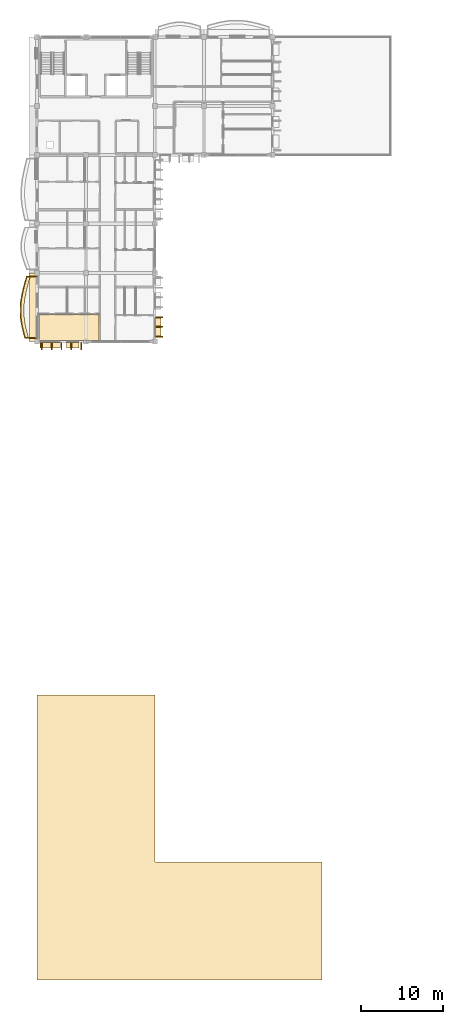
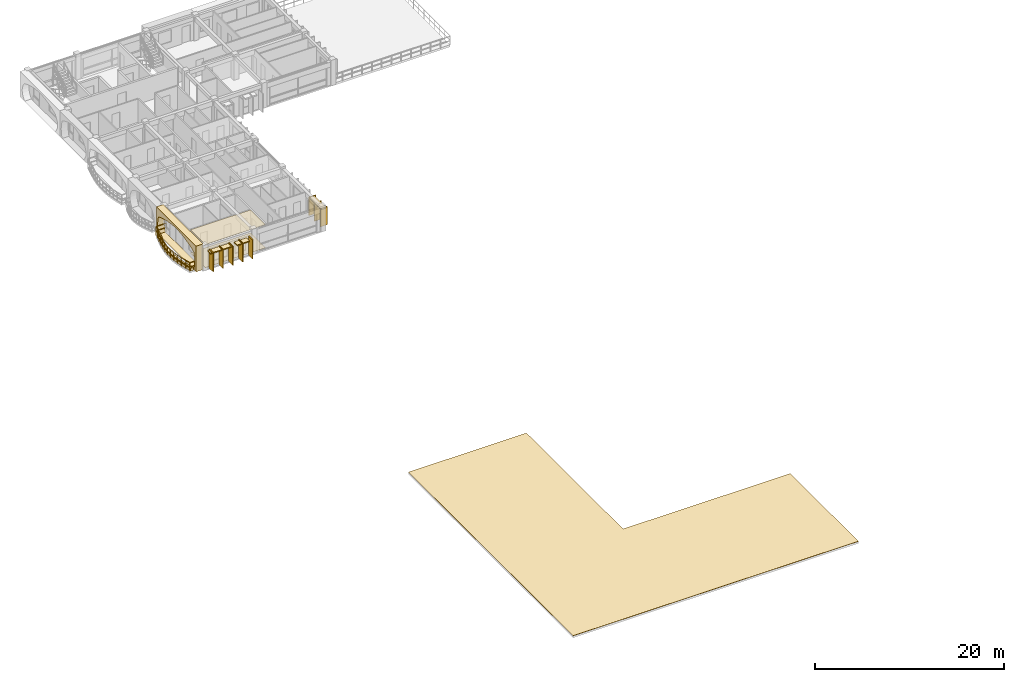
# One storey, part 21 of 31: 16 coverings, 1 railing.
"""IFC4 building model written with IfcOpenShell, lengths in metres."""

from ifc_helpers import new_model, si_unit, direction, frame, origin, origin_2d, place, context, subcontext, project, spatial, polyline, rectangle, outline, extrude, material, layer, layer_set, type_object, element, save


model = new_model("IFC4")

# Units and contexts
model_context = context("Model", 3, precision=1e-05, world=origin(), true_north=direction((0.0, 1.0)))
body_context = subcontext(model_context, "Body", "Model", "MODEL_VIEW")
ifc_project = project(units=[si_unit("LENGTHUNIT", "METRE"), si_unit("AREAUNIT", "SQUARE_METRE"), si_unit("VOLUMEUNIT", "CUBIC_METRE"), si_unit("PLANEANGLEUNIT", "RADIAN"), si_unit("MASSUNIT", "GRAM", prefix="KILO"), si_unit("THERMODYNAMICTEMPERATUREUNIT", "KELVIN")], contexts=[model_context])

# Site, building, storey
site_placement = place(None, origin())
site = spatial("IfcSite", under=ifc_project, at=site_placement, CompositionType="ELEMENT")
building_placement = place(site_placement, origin())
building = spatial("IfcBuilding", under=site, at=building_placement, Name="Thalorik Housing Commons", CompositionType="ELEMENT")
storey_placement = place(building_placement, frame((0.0, 0.0, 37.800048828125)))
storey = spatial("IfcBuildingStorey", under=building, at=storey_placement, Name="L11", CompositionType="ELEMENT", Elevation=37.800048828125)

# Coverings
ifc_material_1 = material(Name="Precast concrete C40/50", Category="concrete")
ifc_layer_1 = layer(ifc_material_1, 0.85009765625, Name="Precast concrete C40/50", Category="concrete")
ifc_layer_set_1 = layer_set([ifc_layer_1], Name="Precast concrete C40/50")
covering_type_1 = type_object("IfcCoveringType", Name="ARC-CLD-CUSH-850", PredefinedType="CLADDING", material=ifc_layer_set_1)
covering_1_placement = place(storey_placement, frame((7.862548828125, 90.60009765625, 0.0), z_axis=(0.0, 0.0, 1.0), x_axis=(0.0, -1.0, 0.0)))
element("IfcCovering", 1, at=covering_1_placement, inside=storey, type_object=covering_type_1, Name="L11 White Precast Curved Cushion Bay Frame 1142", PredefinedType="CLADDING", context=body_context, shape_type="SweptSolid", body=[
    extrude(outline(polyline([(-4.199951171875, 0.0), (4.199951171875, 0.0), (4.199951171875, 3.300048828125), (-4.199951171875, 3.300048828125), (-4.199951171875, 0.0)]), holes=[polyline([(3.7099609375, 0.02490234375), (3.8134765625, 0.40087890625), (3.87548828125, 0.776611328125), (3.896240234375, 1.152587890625), (3.87548828125, 1.5283203125), (3.8134765625, 1.904296875), (3.7099609375, 2.280029296875), (3.088623046875, 2.51123046875), (2.467529296875, 2.693115234375), (1.84619140625, 2.840087890625), (1.22509765625, 2.94970703125), (0.603759765625, 3.01708984375), (-0.017578125, 3.0400390625), (-0.638916015625, 3.01708984375), (-1.260009765625, 2.94970703125), (-1.88134765625, 2.840087890625), (-2.50244140625, 2.693115234375), (-3.123779296875, 2.51123046875), (-3.7451171875, 2.280029296875), (-3.841064453125, 1.904296875), (-3.898681640625, 1.5283203125), (-3.91796875, 1.152587890625), (-3.898681640625, 0.776611328125), (-3.841064453125, 0.40087890625), (-3.7451171875, 0.02490234375), (3.7099609375, 0.02490234375)])]), frame((0.0, 0.425048828125, 0.0), z_axis=(0.0, -1.0, 0.0), x_axis=(1.0, 0.0, 0.0)), (0.0, 0.0, 1.0), 0.85009765625),
])
ifc_layer_2 = layer(ifc_material_1, 0.85009765625, Name="Precast concrete C40/50", Category="concrete")
ifc_layer_set_2 = layer_set([ifc_layer_2], Name="Precast concrete C40/50")
covering_type_2 = type_object("IfcCoveringType", Name="ARC-CLD-FIN-850", PredefinedType="CLADDING", material=ifc_layer_set_2)
for number, where, z_axis, x_axis, name in (
    (2, (9.0, 85.862548828125, 0.0400390625), (0.0, 0.0, 1.0), (1.0, 0.0, 0.0), "L11 Courtyard Precast Vertical Brise-Soleil Fin 1144"),
    (3, (10.199951171875, 85.862548828125, 0.0400390625), (0.0, 0.0, 1.0), (1.0, 0.0, 0.0), "L11 Courtyard Precast Vertical Brise-Soleil Fin 1145"),
    (4, (11.39990234375, 85.862548828125, 0.0400390625), (0.0, 0.0, 1.0), (1.0, 0.0, 0.0), "L11 Courtyard Precast Vertical Brise-Soleil Fin 1146"),
    (5, (12.60009765625, 85.862548828125, 0.0400390625), (0.0, 0.0, 1.0), (1.0, 0.0, 0.0), "L11 Courtyard Precast Vertical Brise-Soleil Fin 1147"),
    (6, (13.800048828125, 85.862548828125, 0.0400390625), (0.0, 0.0, 1.0), (1.0, 0.0, 0.0), "L11 Courtyard Precast Vertical Brise-Soleil Fin 1148"),
):
    element("IfcCovering", number, at=place(storey_placement, frame(where, z_axis=z_axis, x_axis=x_axis)), inside=storey, type_object=covering_type_2, Name=name, PredefinedType="CLADDING", context=body_context, shape_type="SweptSolid", body=[
        extrude(rectangle(XDim=0.110107421875, YDim=0.85009765625, at=origin_2d()), origin(), (0.0, 0.0, 1.0), 2.445068359375),
    ])
for number, where, z_axis, x_axis, name in (
    (7, (23.33740234375, 87.0, 0.0400390625), (0.0, 0.0, 1.0), (0.0, 1.0, 0.0), "L11 Courtyard Precast Vertical Brise-Soleil Fin 1151"),
    (8, (23.33740234375, 88.199951171875, 0.0400390625), (0.0, 0.0, 1.0), (0.0, 1.0, 0.0), "L11 Courtyard Precast Vertical Brise-Soleil Fin 1152"),
    (9, (23.33740234375, 89.39990234375, 0.0400390625), (0.0, 0.0, 1.0), (0.0, 1.0, 0.0), "L11 Courtyard Precast Vertical Brise-Soleil Fin 1153"),
):
    element("IfcCovering", number, at=place(storey_placement, frame(where, z_axis=z_axis, x_axis=x_axis)), inside=storey, type_object=covering_type_2, Name=name, PredefinedType="CLADDING", context=body_context, shape_type="SweptSolid", body=[
        extrude(rectangle(XDim=0.110107421875, YDim=0.85009765625, at=origin_2d()), origin(), (0.0, 0.0, 1.0), 2.344970703125),
    ])
ifc_layer_3 = layer(ifc_material_1, 0.64990234375, Name="Precast concrete C40/50", Category="concrete")
ifc_layer_set_3 = layer_set([ifc_layer_3], Name="Precast concrete C40/50")
covering_type_3 = type_object("IfcCoveringType", Name="ARC-CLD-HOOD-650", PredefinedType="CLADDING", material=ifc_layer_set_3)
covering_2_placement = place(storey_placement, frame((10.030029296875, 85.96240234375, 2.25), z_axis=(0.0, 0.0, 1.0), x_axis=(1.0, 0.0, 0.0)))
element("IfcCovering", 10, at=covering_2_placement, inside=storey, type_object=covering_type_3, Name="L11 Courtyard Precast Window Sun-Hood 1149", PredefinedType="CLADDING", context=body_context, shape_type="SweptSolid", body=[
    extrude(rectangle(XDim=2.52001953125, YDim=0.64990234375, at=origin_2d()), origin(), (0.0, 0.0, 1.0), 0.139892578125),
])
covering_3_placement = place(storey_placement, frame((12.77001953125, 85.96240234375, 2.18994140625), z_axis=(0.0, 0.0, 1.0), x_axis=(1.0, 0.0, 0.0)))
element("IfcCovering", 11, at=covering_3_placement, inside=storey, type_object=covering_type_3, Name="L11 Courtyard Precast Window Sun-Hood 1150", PredefinedType="CLADDING", context=body_context, shape_type="SweptSolid", body=[
    extrude(rectangle(XDim=1.5400390625, YDim=0.64990234375, at=origin_2d()), origin(), (0.0, 0.0, 1.0), 0.139892578125),
])
covering_4_placement = place(storey_placement, frame((23.237548828125, 88.11376953125, 2.27001953125), z_axis=(0.0, 0.0, 1.0), x_axis=(0.0, 1.0, 0.0)))
element("IfcCovering", 12, at=covering_4_placement, inside=storey, type_object=covering_type_3, Name="L11 Courtyard Precast Window Sun-Hood 1158", PredefinedType="CLADDING", context=body_context, shape_type="SweptSolid", body=[
    extrude(rectangle(XDim=2.419921875, YDim=0.64990234375, at=origin_2d()), origin(), (0.0, 0.0, 1.0), 0.139892578125),
])
ifc_material_2 = material(Name="Acoustic wood-wool nursery ceiling panel", Category="wood")
ifc_layer_4 = layer(ifc_material_2, 0.035888671875, Name="Acoustic wood-wool nursery ceiling panel", Category="wood")
ifc_layer_set_4 = layer_set([ifc_layer_4], Name="Acoustic wood-wool nursery ceiling panel")
covering_type_4 = type_object("IfcCoveringType", Name="ARC-COV-CEIL-06", PredefinedType="CEILING", material=ifc_layer_set_4)
covering_5_placement = place(storey_placement, frame((0.0, 0.0, 2.9638671875)))
element("IfcCovering", 13, at=covering_5_placement, inside=storey, type_object=covering_type_4, Name="L11 Living Dining Room Suspended Ceiling", PredefinedType="CEILING", context=body_context, shape_type="SweptSolid", body=[
    extrude(outline(polyline([(16.0, 89.699951171875), (8.639892578125, 89.699951171875), (8.639892578125, 86.5400390625), (16.0, 86.5400390625), (16.0, 89.699951171875)])), origin(), (0.0, 0.0, 1.0), 0.0361328125),
])
ifc_material_3 = material(Name="Epoxy-sealed concrete plant and bicycle hub finish", Category="concrete")
ifc_layer_5 = layer(ifc_material_3, 0.031982421875, Name="Epoxy-sealed concrete plant and bicycle hub finish", Category="concrete")
ifc_layer_set_5 = layer_set([ifc_layer_5], Name="Epoxy-sealed concrete plant and bicycle hub finish")
covering_type_5 = type_object("IfcCoveringType", Name="ARC-COV-FLR-06", PredefinedType="FLOORING", material=ifc_layer_set_5)
covering_6_placement = place(storey_placement, origin())
element("IfcCovering", 14, at=covering_6_placement, inside=storey, type_object=covering_type_5, Name="L11 Living Dining Room Flooring", PredefinedType="FLOORING", context=body_context, shape_type="SweptSolid", body=[
    extrude(outline(polyline([(16.0, 89.699951171875), (8.639892578125, 89.699951171875), (8.639892578125, 86.5400390625), (16.0, 86.5400390625), (16.0, 89.699951171875)])), origin(), (0.0, 0.0, 1.0), 0.031982421875),
])
ifc_material_4 = material(Name="Planted vegetated substrate and terracotta trough", Category="masonry")
ifc_layer_6 = layer(ifc_material_4, 0.340087890625, Name="Planted vegetated substrate and terracotta trough", Category="masonry")
ifc_layer_set_6 = layer_set([ifc_layer_6], Name="Planted vegetated substrate and terracotta trough")
covering_type_6 = type_object("IfcCoveringType", Name="ARC-COV-PLANTER", PredefinedType="USERDEFINED", material=ifc_layer_set_6)
covering_7_placement = place(storey_placement, origin())
element("IfcCovering", 15, at=covering_7_placement, inside=storey, type_object=covering_type_6, Name="L11 Balcony Slab-Edge Planted Trough 5394", ObjectType="PLANTER", PredefinedType="USERDEFINED", context=body_context, shape_type="SweptSolid", body=[
    extrude(outline(polyline([(7.20849609375, 94.3798828125), (7.031982421875, 93.75), (6.85986328125, 93.1201171875), (6.70361328125, 92.489990234375), (6.57421875, 91.860107421875), (6.480712890625, 91.22998046875), (6.429443359375, 90.60009765625), (6.424560546875, 89.969970703125), (6.46630859375, 89.340087890625), (6.55224609375, 88.7099609375), (6.67626953125, 88.080078125), (6.829833984375, 87.449951171875), (7.0029296875, 86.820068359375), (7.3828125, 86.820068359375), (7.2099609375, 87.449951171875), (7.05615234375, 88.080078125), (6.93212890625, 88.7099609375), (6.846435546875, 89.340087890625), (6.8046875, 89.969970703125), (6.8095703125, 90.60009765625), (6.860595703125, 91.22998046875), (6.9541015625, 91.860107421875), (7.08349609375, 92.489990234375), (7.23974609375, 93.1201171875), (7.412109375, 93.75), (7.58837890625, 94.3798828125), (7.20849609375, 94.3798828125)])), origin(), (0.0, 0.0, 1.0), 0.33984375),
])

# Railing
ifc_material_5 = material(Name="Steel S355", Category="steel")
railing_type = type_object("IfcRailingType", Name="ARC-RL-BAL-112", PredefinedType="BALUSTRADE", material=ifc_material_5)
railing_placement = place(storey_placement, frame((8.39990234375, 94.3798828125, 0.0)))
element("IfcRailing", 16, at=railing_placement, inside=storey, type_object=railing_type, Name="L11 Cushion Balcony Guardrail 78", PredefinedType="BALUSTRADE", context=body_context, shape_type="SweptSolid", body=[
    extrude(rectangle(XDim=0.050048828125, YDim=0.050048828125, at=origin_2d()), frame((0.0, 0.0, 1.09521484375), z_axis=(-1.0, 0.0, 0.0), x_axis=(0.0, -1.0, 0.0)), (0.0, 0.0, 1.0), 1.261474609375),
    extrude(rectangle(XDim=0.050048828125, YDim=0.050048828125, at=origin_2d()), frame((0.0, 0.0, 0.53515625), z_axis=(-1.0, 0.0, 0.0), x_axis=(0.0, -1.0, 0.0)), (0.0, 0.0, 1.0), 1.261474609375),
    extrude(rectangle(XDim=0.050048828125, YDim=0.050048828125, at=origin_2d()), frame((-1.261474609375, 0.0, 1.09521484375), z_axis=(-0.269491474332, -0.963002775314, 0.0), x_axis=(0.963002775314, -0.269491474332, 0.0)), (0.0, 0.0, 1.0), 0.654052734375),
    extrude(rectangle(XDim=0.050048828125, YDim=0.050048828125, at=origin_2d()), frame((-1.261474609375, 0.0, 0.53515625), z_axis=(-0.269491474332, -0.963002775314, 0.0), x_axis=(0.963002775314, -0.269491474332, 0.0)), (0.0, 0.0, 1.0), 0.654052734375),
    extrude(rectangle(XDim=0.050048828125, YDim=0.050048828125, at=origin_2d()), frame((-1.437744140625, -0.6298828125, 1.09521484375), z_axis=(-0.26393978543, -0.964539159219, 0.0), x_axis=(0.964539159219, -0.26393978543, 0.0)), (0.0, 0.0, 1.0), 0.653076171875),
    extrude(rectangle(XDim=0.050048828125, YDim=0.050048828125, at=origin_2d()), frame((-1.437744140625, -0.6298828125, 0.53515625), z_axis=(-0.26393978543, -0.964539159219, 0.0), x_axis=(0.964539159219, -0.26393978543, 0.0)), (0.0, 0.0, 1.0), 0.653076171875),
    extrude(rectangle(XDim=0.050048828125, YDim=0.050048828125, at=origin_2d()), frame((-1.610107421875, -1.259765625, 1.09521484375), z_axis=(-0.240677012047, -0.970605262644, 0.0), x_axis=(0.970605262644, -0.240677012047, 0.0)), (0.0, 0.0, 1.0), 0.649169921875),
    extrude(rectangle(XDim=0.050048828125, YDim=0.050048828125, at=origin_2d()), frame((-1.610107421875, -1.259765625, 0.53515625), z_axis=(-0.240677012047, -0.970605262644, 0.0), x_axis=(0.970605262644, -0.240677012047, 0.0)), (0.0, 0.0, 1.0), 0.649169921875),
    extrude(rectangle(XDim=0.050048828125, YDim=0.050048828125, at=origin_2d()), frame((-1.766357421875, -1.889892578125, 1.09521484375), z_axis=(-0.201224395652, -0.979545171288, 0.0), x_axis=(0.979545171288, -0.201224395652, 0.0)), (0.0, 0.0, 1.0), 0.64306640625),
    extrude(rectangle(XDim=0.050048828125, YDim=0.050048828125, at=origin_2d()), frame((-1.766357421875, -1.889892578125, 0.53515625), z_axis=(-0.201224395652, -0.979545171288, 0.0), x_axis=(0.979545171288, -0.201224395652, 0.0)), (0.0, 0.0, 1.0), 0.64306640625),
    extrude(rectangle(XDim=0.050048828125, YDim=0.050048828125, at=origin_2d()), frame((-1.895751953125, -2.519775390625, 1.09521484375), z_axis=(-0.146784780117, -0.989168452957, 0.0), x_axis=(0.989168452957, -0.146784780117, 0.0)), (0.0, 0.0, 1.0), 0.636962890625),
    extrude(rectangle(XDim=0.050048828125, YDim=0.050048828125, at=origin_2d()), frame((-1.895751953125, -2.519775390625, 0.53515625), z_axis=(-0.146784780117, -0.989168452957, 0.0), x_axis=(0.989168452957, -0.146784780117, 0.0)), (0.0, 0.0, 1.0), 0.636962890625),
    extrude(rectangle(XDim=0.050048828125, YDim=0.050048828125, at=origin_2d()), frame((-1.9892578125, -3.14990234375, 1.09521484375), z_axis=(-0.080743256197, -0.996734932958, 0.0), x_axis=(0.996734932958, -0.080743256197, 0.0)), (0.0, 0.0, 1.0), 0.6318359375),
    extrude(rectangle(XDim=0.050048828125, YDim=0.050048828125, at=origin_2d()), frame((-1.9892578125, -3.14990234375, 0.53515625), z_axis=(-0.080743256197, -0.996734932958, 0.0), x_axis=(0.996734932958, -0.080743256197, 0.0)), (0.0, 0.0, 1.0), 0.6318359375),
    extrude(rectangle(XDim=0.050048828125, YDim=0.050048828125, at=origin_2d()), frame((-2.040283203125, -3.77978515625, 1.09521484375), z_axis=(-0.008136111944, -0.999966901293, 0.0), x_axis=(0.999966901293, -0.008136111944, 0.0)), (0.0, 0.0, 1.0), 0.630126953125),
    extrude(rectangle(XDim=0.050048828125, YDim=0.050048828125, at=origin_2d()), frame((-2.040283203125, -3.77978515625, 0.53515625), z_axis=(-0.008136111944, -0.999966901293, 0.0), x_axis=(0.999966901293, -0.008136111944, 0.0)), (0.0, 0.0, 1.0), 0.630126953125),
    extrude(rectangle(XDim=0.050048828125, YDim=0.050048828125, at=origin_2d()), frame((-2.04541015625, -4.409912109375, 1.09521484375), z_axis=(0.066519010524, -0.997785157857, 0.0), x_axis=(0.997785157857, 0.066519010524, 0.0)), (0.0, 0.0, 1.0), 0.63134765625),
    extrude(rectangle(XDim=0.050048828125, YDim=0.050048828125, at=origin_2d()), frame((-2.04541015625, -4.409912109375, 0.53515625), z_axis=(0.066519010524, -0.997785157857, 0.0), x_axis=(0.997785157857, 0.066519010524, 0.0)), (0.0, 0.0, 1.0), 0.63134765625),
    extrude(rectangle(XDim=0.050048828125, YDim=0.050048828125, at=origin_2d()), frame((-2.00341796875, -5.039794921875, 1.09521484375), z_axis=(0.134753423506, -0.990879162589, 0.0), x_axis=(0.990879162589, 0.134753423506, 0.0)), (0.0, 0.0, 1.0), 0.635986328125),
    extrude(rectangle(XDim=0.050048828125, YDim=0.050048828125, at=origin_2d()), frame((-2.00341796875, -5.039794921875, 0.53515625), z_axis=(0.134753423506, -0.990879162589, 0.0), x_axis=(0.990879162589, 0.134753423506, 0.0)), (0.0, 0.0, 1.0), 0.635986328125),
    extrude(rectangle(XDim=0.050048828125, YDim=0.050048828125, at=origin_2d()), frame((-1.917724609375, -5.669921875, 1.09521484375), z_axis=(0.19318991543, -0.981161381515, 0.0), x_axis=(0.981161381515, 0.19318991543, 0.0)), (0.0, 0.0, 1.0), 0.64208984375),
    extrude(rectangle(XDim=0.050048828125, YDim=0.050048828125, at=origin_2d()), frame((-1.917724609375, -5.669921875, 0.53515625), z_axis=(0.19318991543, -0.981161381515, 0.0), x_axis=(0.981161381515, 0.19318991543, 0.0)), (0.0, 0.0, 1.0), 0.64208984375),
    extrude(rectangle(XDim=0.050048828125, YDim=0.050048828125, at=origin_2d()), frame((-1.793701171875, -6.2998046875, 1.09521484375), z_axis=(0.237129474969, -0.971478055388, 0.0), x_axis=(0.971478055388, 0.237129474969, 0.0)), (0.0, 0.0, 1.0), 0.648681640625),
    extrude(rectangle(XDim=0.050048828125, YDim=0.050048828125, at=origin_2d()), frame((-1.793701171875, -6.2998046875, 0.53515625), z_axis=(0.237129474969, -0.971478055388, 0.0), x_axis=(0.971478055388, 0.237129474969, 0.0)), (0.0, 0.0, 1.0), 0.648681640625),
    extrude(rectangle(XDim=0.050048828125, YDim=0.050048828125, at=origin_2d()), frame((-1.639892578125, -6.929931640625, 1.09521484375), z_axis=(0.264635195896, -0.964348595215, 0.0), x_axis=(0.964348595215, 0.264635195896, 0.0)), (0.0, 0.0, 1.0), 0.653076171875),
    extrude(rectangle(XDim=0.050048828125, YDim=0.050048828125, at=origin_2d()), frame((-1.639892578125, -6.929931640625, 0.53515625), z_axis=(0.264635195896, -0.964348595215, 0.0), x_axis=(0.964348595215, 0.264635195896, 0.0)), (0.0, 0.0, 1.0), 0.653076171875),
    extrude(rectangle(XDim=0.050048828125, YDim=0.050048828125, at=origin_2d()), frame((-1.467041015625, -7.559814453125, 1.09521484375), z_axis=(1.0, 0.0, 0.0), x_axis=(0.0, 1.0, 0.0)), (0.0, 0.0, 1.0), 1.467041015625),
    extrude(rectangle(XDim=0.050048828125, YDim=0.050048828125, at=origin_2d()), frame((-1.467041015625, -7.559814453125, 0.53515625), z_axis=(1.0, 0.0, 0.0), x_axis=(0.0, 1.0, 0.0)), (0.0, 0.0, 1.0), 1.467041015625),
    extrude(rectangle(XDim=0.0419921875, YDim=0.0419921875, at=origin_2d()), origin(), (0.0, 0.0, 1.0), 1.070068359375),
    extrude(rectangle(XDim=0.0419921875, YDim=0.0419921875, at=origin_2d()), frame((-1.261474609375, 0.0, 0.0)), (0.0, 0.0, 1.0), 1.070068359375),
    extrude(rectangle(XDim=0.0419921875, YDim=0.0419921875, at=origin_2d()), frame((-1.437744140625, -0.6298828125, 0.0)), (0.0, 0.0, 1.0), 1.070068359375),
    extrude(rectangle(XDim=0.0419921875, YDim=0.0419921875, at=origin_2d()), frame((-1.610107421875, -1.259765625, 0.0)), (0.0, 0.0, 1.0), 1.070068359375),
    extrude(rectangle(XDim=0.0419921875, YDim=0.0419921875, at=origin_2d()), frame((-1.766357421875, -1.889892578125, 0.0)), (0.0, 0.0, 1.0), 1.070068359375),
    extrude(rectangle(XDim=0.0419921875, YDim=0.0419921875, at=origin_2d()), frame((-1.895751953125, -2.519775390625, 0.0)), (0.0, 0.0, 1.0), 1.070068359375),
    extrude(rectangle(XDim=0.0419921875, YDim=0.0419921875, at=origin_2d()), frame((-1.9892578125, -3.14990234375, 0.0)), (0.0, 0.0, 1.0), 1.070068359375),
    extrude(rectangle(XDim=0.0419921875, YDim=0.0419921875, at=origin_2d()), frame((-2.040283203125, -3.77978515625, 0.0)), (0.0, 0.0, 1.0), 1.070068359375),
    extrude(rectangle(XDim=0.0419921875, YDim=0.0419921875, at=origin_2d()), frame((-2.04541015625, -4.409912109375, 0.0)), (0.0, 0.0, 1.0), 1.070068359375),
    extrude(rectangle(XDim=0.0419921875, YDim=0.0419921875, at=origin_2d()), frame((-2.00341796875, -5.039794921875, 0.0)), (0.0, 0.0, 1.0), 1.070068359375),
    extrude(rectangle(XDim=0.0419921875, YDim=0.0419921875, at=origin_2d()), frame((-1.917724609375, -5.669921875, 0.0)), (0.0, 0.0, 1.0), 1.070068359375),
    extrude(rectangle(XDim=0.0419921875, YDim=0.0419921875, at=origin_2d()), frame((-1.793701171875, -6.2998046875, 0.0)), (0.0, 0.0, 1.0), 1.070068359375),
    extrude(rectangle(XDim=0.0419921875, YDim=0.0419921875, at=origin_2d()), frame((-1.639892578125, -6.929931640625, 0.0)), (0.0, 0.0, 1.0), 1.070068359375),
    extrude(rectangle(XDim=0.0419921875, YDim=0.0419921875, at=origin_2d()), frame((-1.467041015625, -7.559814453125, 0.0)), (0.0, 0.0, 1.0), 1.070068359375),
    extrude(rectangle(XDim=0.0419921875, YDim=0.0419921875, at=origin_2d()), frame((0.0, -7.559814453125, 0.0)), (0.0, 0.0, 1.0), 1.070068359375),
])

# Covering
ifc_material_6 = material(Name="Reflective white TPO roofing membrane and rigid insulation")
ifc_layer_7 = layer(ifc_material_6, 0.034912109375, Name="Reflective white TPO roofing membrane and rigid insulation")
ifc_layer_set_7 = layer_set([ifc_layer_7], Name="Reflective white TPO roofing membrane and rigid insulation")
covering_type_7 = type_object("IfcCoveringType", Name="ARC-ROOF-MEM-35", PredefinedType="ROOFING", material=ifc_layer_set_7)
covering_8_placement = place(storey_placement, origin())
element("IfcCovering", 17, at=covering_8_placement, inside=storey, type_object=covering_type_7, Name="L11 Block C Waterproofing Membrane", PredefinedType="ROOFING", context=body_context, shape_type="SweptSolid", body=[
    extrude(outline(polyline([(22.800048828125, 22.800048828125), (22.800048828125, 43.199951171875), (8.39990234375, 43.199951171875), (8.39990234375, 8.39990234375), (22.800048828125, 8.39990234375), (43.199951171875, 8.39990234375), (43.199951171875, 22.800048828125), (22.800048828125, 22.800048828125)])), origin(), (0.0, 0.0, 1.0), 0.034912109375),
])

save(model, "model.ifc")
